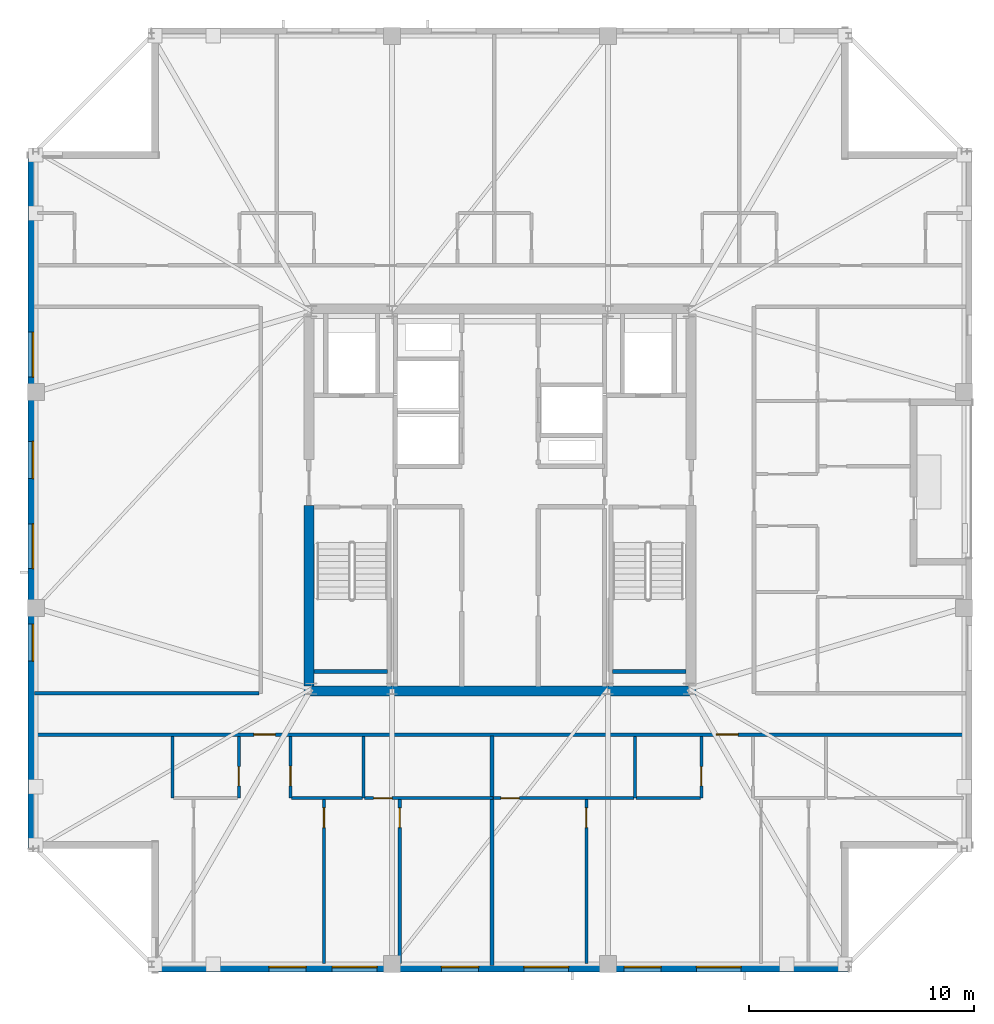
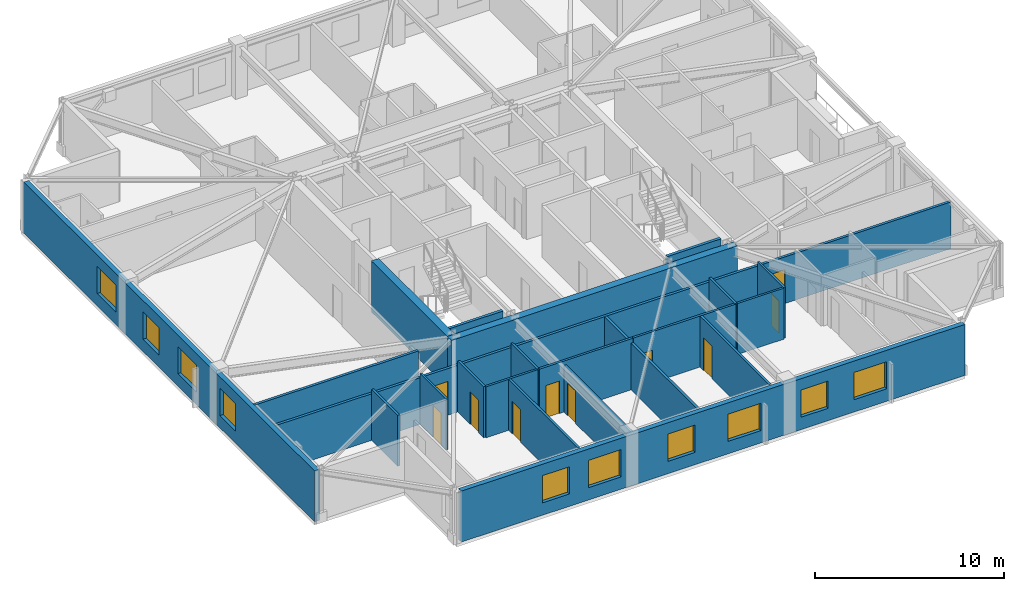
# One storey, part 7 of 14: 22 walls, 10 doors, 10 windows, 20 openings.
"""IFC4 building model written with IfcOpenShell, lengths in metres."""

from ifc_helpers import new_model, si_unit, direction, frame, frame_2d, origin, place, context, subcontext, project, spatial, rectangle, extrude, material, layer, layer_set, type_object, element, fill, save


model = new_model("IFC4")

# Units and contexts
model_context = context("Model", 3, precision=1e-05, world=origin(), true_north=direction((0.0, 1.0)))
body_context = subcontext(model_context, "Body", "Model", "MODEL_VIEW")
ifc_project = project(units=[si_unit("LENGTHUNIT", "METRE"), si_unit("AREAUNIT", "SQUARE_METRE"), si_unit("VOLUMEUNIT", "CUBIC_METRE"), si_unit("PLANEANGLEUNIT", "RADIAN"), si_unit("MASSUNIT", "GRAM", prefix="KILO")], contexts=[model_context])

# Site, building, storey
site_placement = place(None, origin())
site = spatial("IfcSite", under=ifc_project, at=site_placement, CompositionType="ELEMENT")
building_placement = place(site_placement, origin())
building = spatial("IfcBuilding", under=site, at=building_placement, Name="Cairnveth Concourse Tower", CompositionType="ELEMENT")
storey_placement = place(building_placement, frame((0.0, 0.0, 308.5)))
storey = spatial("IfcBuildingStorey", under=building, at=storey_placement, Name="L85", CompositionType="ELEMENT", Elevation=308.5)

# Wall, openings, doors
ifc_material_1 = material(Name="Gypsum Plasterboard Partition", Category="gypsum")
ifc_layer_1 = layer(ifc_material_1, 0.159912109375)
ifc_layer_set_1 = layer_set([ifc_layer_1], Name="Gypsum Plasterboard Partition")
wall_type_1 = type_object("IfcWallType", Name="ACOUSTIC PARTY WALL 180", PredefinedType="PARTITIONING", material=ifc_layer_set_1)
wall_1_placement = place(storey_placement, frame((31.284912109375, 28.56494140625, 0.0), z_axis=(0.0, 0.0, 1.0), x_axis=(1.0, 0.0, 0.0)))
wall_1 = element("IfcWall", 1, at=wall_1_placement, inside=storey, type_object=wall_type_1, Name="Interior Wall IW-L85-033", PredefinedType="PARTITIONING", context=body_context, shape_type="SweptSolid", body=[
    extrude(rectangle(XDim=41.43017578125, YDim=0.159912109375, at=frame_2d((20.715087890625, 0.0))), origin(), (0.0, 0.0, 1.0), 3.009033203125),
])
opening_1_placement = place(wall_1_placement, frame((9.76611328125, 0.0, 0.0)))
opening_1 = element("IfcOpeningElement", 2, at=opening_1_placement, cuts=wall_1, Name="Opening ID10", PredefinedType="OPENING", context=body_context, shape_type="SweptSolid", body=[
    extrude(rectangle(XDim=0.9599609375, YDim=2.179931640625, at=frame_2d((0.47998046875, 1.08984375))), frame((0.0, 0.08984375, 0.0), z_axis=(0.0, -1.0, 0.0), x_axis=(1.0, 0.0, 0.0)), (0.0, 0.0, 1.0), 0.179931640625),
])
opening_2_placement = place(wall_1_placement, frame((30.34619140625, 0.0, 0.0)))
opening_2 = element("IfcOpeningElement", 3, at=opening_2_placement, cuts=wall_1, Name="Opening ID10", PredefinedType="OPENING", context=body_context, shape_type="SweptSolid", body=[
    extrude(rectangle(XDim=0.9599609375, YDim=2.179931640625, at=frame_2d((0.47998046875, 1.08984375))), frame((0.0, 0.08984375, 0.0), z_axis=(0.0, -1.0, 0.0), x_axis=(1.0, 0.0, 0.0)), (0.0, 0.0, 1.0), 0.179931640625),
])
ifc_material_2 = material(Name="Solid Core Hardwood Timber Leaf", Category="wood")
door_type_1 = type_object("IfcDoorType", Name="FLAT ENTRANCE DOOR 960X2150", OperationType="NOTDEFINED", PredefinedType="DOOR", material=ifc_material_2)
door_1_placement = place(opening_1_placement, origin())
door_1 = element("IfcDoor", 4, at=door_1_placement, inside=storey, type_object=door_type_1, Name="Penthouse L85PS1 Entrance Door", OperationType="SINGLE_SWING_LEFT", OverallHeight=2.179931640625, OverallWidth=0.9599609375, PredefinedType="DOOR", context=body_context, shape_type="SweptSolid", body=[
    extrude(rectangle(XDim=0.9599609375, YDim=2.179931640625, at=frame_2d((0.47998046875, 1.08984375))), frame((0.0, 0.02490234375, 0.0), z_axis=(0.0, -1.0, 0.0), x_axis=(1.0, 0.0, 0.0)), (0.0, 0.0, 1.0), 0.050048828125),
])
fill(opening_1, door_1)
door_2_placement = place(opening_2_placement, origin())
door_2 = element("IfcDoor", 5, at=door_2_placement, inside=storey, type_object=door_type_1, Name="Penthouse L85PS2 Entrance Door", OperationType="SINGLE_SWING_LEFT", OverallHeight=2.179931640625, OverallWidth=0.9599609375, PredefinedType="DOOR", context=body_context, shape_type="SweptSolid", body=[
    extrude(rectangle(XDim=0.9599609375, YDim=2.179931640625, at=frame_2d((0.47998046875, 1.08984375))), frame((0.0, 0.02490234375, 0.0), z_axis=(0.0, -1.0, 0.0), x_axis=(1.0, 0.0, 0.0)), (0.0, 0.0, 1.0), 0.050048828125),
])
fill(opening_2, door_2)

# Walls
wall_2_placement = place(storey_placement, frame((31.284912109375, 30.39990234375, 0.0), z_axis=(0.0, 0.0, 1.0), x_axis=(1.0, 0.0, 0.0)))
element("IfcWall", 6, at=wall_2_placement, inside=storey, type_object=wall_type_1, Name="Interior Wall IW-L85-037", PredefinedType="PARTITIONING", context=body_context, shape_type="SweptSolid", body=[
    extrude(rectangle(XDim=10.0, YDim=0.159912109375, at=frame_2d((5.0, 0.0))), origin(), (0.0, 0.0, 1.0), 3.2900390625),
])
wall_3_placement = place(storey_placement, frame((51.642578125, 18.284912109375, 0.0), z_axis=(0.0, 0.0, 1.0), x_axis=(0.0, 1.0, 0.0)))
element("IfcWall", 7, at=wall_3_placement, inside=storey, type_object=wall_type_1, Name="Interior Wall IW-L85-051", PredefinedType="PARTITIONING", context=body_context, shape_type="SweptSolid", body=[
    extrude(rectangle(XDim=10.215087890625, YDim=0.159912109375, at=frame_2d((5.107421875, 0.0))), origin(), (0.0, 0.0, 1.0), 3.009033203125),
])
ifc_material_3 = material(Name="Concrete N65 (65 MPa)", Category="concrete")
ifc_layer_2 = layer(ifc_material_3, 0.449951171875)
ifc_layer_set_2 = layer_set([ifc_layer_2], Name="Concrete N65 (65 MPa)")
wall_type_2 = type_object("IfcWallType", Name="CORE SHEAR WALL 450", PredefinedType="SHEAR", material=ifc_layer_set_2)
wall_4_placement = place(storey_placement, frame((43.27490234375, 30.5, 0.0), z_axis=(0.0, 0.0, 1.0), x_axis=(1.0, 0.0, 0.0)))
element("IfcWall", 8, at=wall_4_placement, inside=storey, type_object=wall_type_2, Name="Core South Shear Wall L85", PredefinedType="SHEAR", context=body_context, shape_type="SweptSolid", body=[
    extrude(rectangle(XDim=17.4501953125, YDim=0.449951171875, at=frame_2d((8.72509765625, 0.0))), origin(), (0.0, 0.0, 1.0), 3.2900390625),
])
wall_5_placement = place(storey_placement, frame((43.5, 30.715087890625, 0.0), z_axis=(0.0, 0.0, 1.0), x_axis=(0.0, 1.0, 0.0)))
element("IfcWall", 9, at=wall_5_placement, inside=storey, type_object=wall_type_2, Name="Core West Shear Wall S L85", PredefinedType="SHEAR", context=body_context, shape_type="SweptSolid", body=[
    extrude(rectangle(XDim=8.034912109375, YDim=0.449951171875, at=frame_2d((4.017578125, 0.0))), origin(), (0.0, 0.0, 1.0), 3.2900390625),
])
ifc_material_4 = material(Name="Concrete N50 (50 MPa)", Category="concrete")
ifc_layer_3 = layer(ifc_material_4, 0.179931640625)
ifc_layer_set_3 = layer_set([ifc_layer_3], Name="Concrete N50 (50 MPa)")
wall_type_3 = type_object("IfcWallType", Name="FIRE SHAFT WALL 180", PredefinedType="SOLIDWALL", material=ifc_layer_set_3)
for number, where, z_axis, x_axis, name in (
    (10, (43.715087890625, 31.360107421875, 0.0), (0.0, 0.0, 1.0), (1.0, 0.0, 0.0), "Stair ST-1 Shaft Wall FAR L85"),
    (11, (57.0048828125, 31.360107421875, 0.0), (0.0, 0.0, 1.0), (1.0, 0.0, 0.0), "Stair ST-2 Shaft Wall FAR L85"),
):
    element("IfcWall", number, at=place(storey_placement, frame(where, z_axis=z_axis, x_axis=x_axis)), inside=storey, type_object=wall_type_3, Name=name, PredefinedType="SOLIDWALL", context=body_context, shape_type="SweptSolid", body=[
        extrude(rectangle(XDim=3.280029296875, YDim=0.179931640625, at=frame_2d((1.64013671875, 0.0))), origin(), (0.0, 0.0, 1.0), 3.2900390625),
    ])

# Wall, opening, door
ifc_layer_4 = layer(ifc_material_1, 0.139892578125)
ifc_layer_set_4 = layer_set([ifc_layer_4], Name="Gypsum Plasterboard Partition")
wall_type_4 = type_object("IfcWallType", Name="GYPSUM STUD PARTITION 140", PredefinedType="PARTITIONING", material=ifc_layer_set_4)
wall_6_placement = place(storey_placement, frame((47.54248046875, 18.3798828125, 0.0), z_axis=(0.0, 0.0, 1.0), x_axis=(0.0, 1.0, 0.0)))
wall_6 = element("IfcWall", 12, at=wall_6_placement, inside=storey, type_object=wall_type_4, Name="Interior Wall IW-L85-048", PredefinedType="PARTITIONING", context=body_context, shape_type="SweptSolid", body=[
    extrude(rectangle(XDim=7.39501953125, YDim=0.139892578125, at=frame_2d((3.697509765625, 0.0))), origin(), (0.0, 0.0, 1.0), 3.009033203125),
])
opening_3_placement = place(wall_6_placement, frame((6.044921875, 0.0, 0.0)))
opening_3 = element("IfcOpeningElement", 13, at=opening_3_placement, cuts=wall_6, Name="Opening ID18", PredefinedType="OPENING", context=body_context, shape_type="SweptSolid", body=[
    extrude(rectangle(XDim=0.8798828125, YDim=2.10009765625, at=frame_2d((0.43994140625, 1.050048828125))), frame((0.0, 0.079833984375, 0.0), z_axis=(0.0, -1.0, 0.0), x_axis=(1.0, 0.0, 0.0)), (0.0, 0.0, 1.0), 0.159912109375),
])
door_type_2 = type_object("IfcDoorType", Name="INTERIOR SINGLE DOOR 880X2100", OperationType="NOTDEFINED", PredefinedType="DOOR", material=ifc_material_2)
door_3_placement = place(opening_3_placement, origin())
door_3 = element("IfcDoor", 14, at=door_3_placement, inside=storey, type_object=door_type_2, Name="L85PS1 Bedroom 2 Door", OperationType="SINGLE_SWING_LEFT", OverallHeight=2.10009765625, OverallWidth=0.8798828125, PredefinedType="DOOR", context=body_context, shape_type="SweptSolid", body=[
    extrude(rectangle(XDim=0.8798828125, YDim=2.10009765625, at=frame_2d((0.43994140625, 1.050048828125))), frame((0.0, 0.02490234375, 0.0), z_axis=(0.0, -1.0, 0.0), x_axis=(1.0, 0.0, 0.0)), (0.0, 0.0, 1.0), 0.050048828125),
])
fill(opening_3, door_3)

wall_7_placement = place(storey_placement, frame((45.981201171875, 25.735107421875, 0.0), z_axis=(0.0, 0.0, 1.0), x_axis=(1.0, 0.0, 0.0)))
wall_7 = element("IfcWall", 15, at=wall_7_placement, inside=storey, type_object=wall_type_4, Name="Interior Wall IW-L85-049", PredefinedType="PARTITIONING", context=body_context, shape_type="SweptSolid", body=[
    extrude(rectangle(XDim=5.711181640625, YDim=0.139892578125, at=frame_2d((2.85546875, 0.0))), origin(), (0.0, 0.0, 1.0), 3.2900390625),
])
opening_4_placement = place(wall_7_placement, frame((0.39990234375, 0.0, 0.0)))
opening_4 = element("IfcOpeningElement", 16, at=opening_4_placement, cuts=wall_7, Name="Opening ID22", PredefinedType="OPENING", context=body_context, shape_type="SweptSolid", body=[
    extrude(rectangle(XDim=0.820068359375, YDim=2.10009765625, at=frame_2d((0.41015625, 1.050048828125))), frame((0.0, 0.079833984375, 0.0), z_axis=(0.0, -1.0, 0.0), x_axis=(1.0, 0.0, 0.0)), (0.0, 0.0, 1.0), 0.159912109375),
])
door_type_3 = type_object("IfcDoorType", Name="INTERIOR WC DOOR 820X2100", OperationType="NOTDEFINED", PredefinedType="DOOR", material=ifc_material_2)
door_4_placement = place(opening_4_placement, origin())
door_4 = element("IfcDoor", 17, at=door_4_placement, inside=storey, type_object=door_type_3, Name="L85PS1 Utility Door", OperationType="SINGLE_SWING_RIGHT", OverallHeight=2.10009765625, OverallWidth=0.820068359375, PredefinedType="DOOR", context=body_context, shape_type="SweptSolid", body=[
    extrude(rectangle(XDim=0.820068359375, YDim=2.10009765625, at=frame_2d((0.41015625, 1.050048828125))), frame((0.0, 0.02490234375, 0.0), z_axis=(0.0, -1.0, 0.0), x_axis=(1.0, 0.0, 0.0)), (0.0, 0.0, 1.0), 0.050048828125),
])
fill(opening_4, door_4)

wall_8_placement = place(storey_placement, frame((44.169921875, 18.3798828125, 0.0), z_axis=(0.0, 0.0, 1.0), x_axis=(0.0, 1.0, 0.0)))
wall_8 = element("IfcWall", 18, at=wall_8_placement, inside=storey, type_object=wall_type_4, Name="Interior Wall IW-L85-050", PredefinedType="PARTITIONING", context=body_context, shape_type="SweptSolid", body=[
    extrude(rectangle(XDim=7.30517578125, YDim=0.139892578125, at=frame_2d((3.652587890625, 0.0))), origin(), (0.0, 0.0, 1.0), 3.2900390625),
])
opening_5_placement = place(wall_8_placement, frame((6.044921875, 0.0, 0.0)))
opening_5 = element("IfcOpeningElement", 19, at=opening_5_placement, cuts=wall_8, Name="Opening ID18", PredefinedType="OPENING", context=body_context, shape_type="SweptSolid", body=[
    extrude(rectangle(XDim=0.8798828125, YDim=2.10009765625, at=frame_2d((0.43994140625, 1.050048828125))), frame((0.0, 0.079833984375, 0.0), z_axis=(0.0, -1.0, 0.0), x_axis=(1.0, 0.0, 0.0)), (0.0, 0.0, 1.0), 0.159912109375),
])
door_5_placement = place(opening_5_placement, origin())
door_5 = element("IfcDoor", 20, at=door_5_placement, inside=storey, type_object=door_type_2, Name="L85PS1 Media Lounge Door", OperationType="SINGLE_SWING_RIGHT", OverallHeight=2.10009765625, OverallWidth=0.8798828125, PredefinedType="DOOR", context=body_context, shape_type="SweptSolid", body=[
    extrude(rectangle(XDim=0.8798828125, YDim=2.10009765625, at=frame_2d((0.43994140625, 1.050048828125))), frame((0.0, 0.02490234375, 0.0), z_axis=(0.0, -1.0, 0.0), x_axis=(1.0, 0.0, 0.0)), (0.0, 0.0, 1.0), 0.050048828125),
])
fill(opening_5, door_5)

wall_9_placement = place(storey_placement, frame((55.842529296875, 18.3798828125, 0.0), z_axis=(0.0, 0.0, 1.0), x_axis=(0.0, 1.0, 0.0)))
wall_9 = element("IfcWall", 21, at=wall_9_placement, inside=storey, type_object=wall_type_4, Name="Interior Wall IW-L85-058", PredefinedType="PARTITIONING", context=body_context, shape_type="SweptSolid", body=[
    extrude(rectangle(XDim=7.39501953125, YDim=0.139892578125, at=frame_2d((3.697509765625, 0.0))), origin(), (0.0, 0.0, 1.0), 3.2900390625),
])
opening_6_placement = place(wall_9_placement, frame((6.044921875, 0.0, 0.0)))
opening_6 = element("IfcOpeningElement", 22, at=opening_6_placement, cuts=wall_9, Name="Opening ID18", PredefinedType="OPENING", context=body_context, shape_type="SweptSolid", body=[
    extrude(rectangle(XDim=0.8798828125, YDim=2.10009765625, at=frame_2d((0.43994140625, 1.050048828125))), frame((0.0, 0.079833984375, 0.0), z_axis=(0.0, -1.0, 0.0), x_axis=(1.0, 0.0, 0.0)), (0.0, 0.0, 1.0), 0.159912109375),
])
door_6_placement = place(opening_6_placement, origin())
door_6 = element("IfcDoor", 23, at=door_6_placement, inside=storey, type_object=door_type_2, Name="L85PS2 Master Bedroom Door", OperationType="SINGLE_SWING_LEFT", OverallHeight=2.10009765625, OverallWidth=0.8798828125, PredefinedType="DOOR", context=body_context, shape_type="SweptSolid", body=[
    extrude(rectangle(XDim=0.8798828125, YDim=2.10009765625, at=frame_2d((0.43994140625, 1.050048828125))), frame((0.0, 0.02490234375, 0.0), z_axis=(0.0, -1.0, 0.0), x_axis=(1.0, 0.0, 0.0)), (0.0, 0.0, 1.0), 0.050048828125),
])
fill(opening_6, door_6)

wall_10_placement = place(storey_placement, frame((51.70751953125, 25.735107421875, 0.0), z_axis=(0.0, 0.0, 1.0), x_axis=(1.0, 0.0, 0.0)))
wall_10 = element("IfcWall", 24, at=wall_10_placement, inside=storey, type_object=wall_type_4, Name="Interior Wall IW-L85-059", PredefinedType="PARTITIONING", context=body_context, shape_type="SweptSolid", body=[
    extrude(rectangle(XDim=6.253662109375, YDim=0.139892578125, at=frame_2d((3.126953125, 0.0))), origin(), (0.0, 0.0, 1.0), 3.2900390625),
])
opening_7_placement = place(wall_10_placement, frame((0.3349609375, 0.0, 0.0)))
opening_7 = element("IfcOpeningElement", 25, at=opening_7_placement, cuts=wall_10, Name="Opening ID22", PredefinedType="OPENING", context=body_context, shape_type="SweptSolid", body=[
    extrude(rectangle(XDim=0.820068359375, YDim=2.10009765625, at=frame_2d((0.41015625, 1.050048828125))), frame((0.0, 0.079833984375, 0.0), z_axis=(0.0, -1.0, 0.0), x_axis=(1.0, 0.0, 0.0)), (0.0, 0.0, 1.0), 0.159912109375),
])
door_7_placement = place(opening_7_placement, origin())
door_7 = element("IfcDoor", 26, at=door_7_placement, inside=storey, type_object=door_type_3, Name="L85PS2 Dressing Door", OperationType="SINGLE_SWING_RIGHT", OverallHeight=2.10009765625, OverallWidth=0.820068359375, PredefinedType="DOOR", context=body_context, shape_type="SweptSolid", body=[
    extrude(rectangle(XDim=0.820068359375, YDim=2.10009765625, at=frame_2d((0.41015625, 1.050048828125))), frame((0.0, 0.02490234375, 0.0), z_axis=(0.0, -1.0, 0.0), x_axis=(1.0, 0.0, 0.0)), (0.0, 0.0, 1.0), 0.050048828125),
])
fill(opening_7, door_7)

# Wall
ifc_layer_5 = layer(ifc_material_1, 0.1298828125)
ifc_layer_set_5 = layer_set([ifc_layer_5], Name="Gypsum Plasterboard Partition")
wall_type_5 = type_object("IfcWallType", Name="WET AREA PARTITION 140", PredefinedType="PLUMBINGWALL", material=ifc_layer_set_5)
wall_11_placement = place(storey_placement, frame((37.431396484375, 25.735107421875, 0.0), z_axis=(0.0, 0.0, 1.0), x_axis=(0.0, 1.0, 0.0)))
element("IfcWall", 27, at=wall_11_placement, inside=storey, type_object=wall_type_5, Name="Interior Wall IW-L85-041", PredefinedType="PLUMBINGWALL", context=body_context, shape_type="SweptSolid", body=[
    extrude(rectangle(XDim=2.75, YDim=0.1298828125, at=frame_2d((1.375, 0.0))), origin(), (0.0, 0.0, 1.0), 3.2900390625),
])

# Wall, opening, door
wall_12_placement = place(storey_placement, frame((40.38134765625, 25.735107421875, 0.0), z_axis=(0.0, 0.0, 1.0), x_axis=(0.0, 1.0, 0.0)))
wall_12 = element("IfcWall", 28, at=wall_12_placement, inside=storey, type_object=wall_type_5, Name="Interior Wall IW-L85-042", PredefinedType="PLUMBINGWALL", context=body_context, shape_type="SweptSolid", body=[
    extrude(rectangle(XDim=2.75, YDim=0.1298828125, at=frame_2d((1.375, 0.0))), origin(), (0.0, 0.0, 1.0), 3.2900390625),
])
opening_8_placement = place(wall_12_placement, frame((0.550048828125, 0.0, 0.0)))
opening_8 = element("IfcOpeningElement", 29, at=opening_8_placement, cuts=wall_12, Name="Opening ID21", PredefinedType="OPENING", context=body_context, shape_type="SweptSolid", body=[
    extrude(rectangle(XDim=0.85009765625, YDim=2.080078125, at=frame_2d((0.425048828125, 1.0400390625))), frame((0.0, 0.074951171875, 0.0), z_axis=(0.0, -1.0, 0.0), x_axis=(1.0, 0.0, 0.0)), (0.0, 0.0, 1.0), 0.14990234375),
])
door_type_4 = type_object("IfcDoorType", Name="INTERIOR WC DOOR 850X2100", OperationType="NOTDEFINED", PredefinedType="DOOR", material=ifc_material_2)
door_8_placement = place(opening_8_placement, origin())
door_8 = element("IfcDoor", 30, at=door_8_placement, inside=storey, type_object=door_type_4, Name="L85PS1 Bathroom Door", OperationType="SINGLE_SWING_LEFT", OverallHeight=2.080078125, OverallWidth=0.85009765625, PredefinedType="DOOR", context=body_context, shape_type="SweptSolid", body=[
    extrude(rectangle(XDim=0.85009765625, YDim=2.080078125, at=frame_2d((0.425048828125, 1.0400390625))), frame((0.0, 0.02490234375, 0.0), z_axis=(0.0, -1.0, 0.0), x_axis=(1.0, 0.0, 0.0)), (0.0, 0.0, 1.0), 0.050048828125),
])
fill(opening_8, door_8)

# Wall
wall_13_placement = place(storey_placement, frame((45.93115234375, 25.735107421875, 0.0), z_axis=(0.0, 0.0, 1.0), x_axis=(0.0, 1.0, 0.0)))
element("IfcWall", 31, at=wall_13_placement, inside=storey, type_object=wall_type_5, Name="Interior Wall IW-L85-044", PredefinedType="PLUMBINGWALL", context=body_context, shape_type="SweptSolid", body=[
    extrude(rectangle(XDim=2.75, YDim=0.1298828125, at=frame_2d((1.375, 0.0))), origin(), (0.0, 0.0, 1.0), 3.2900390625),
])

# Wall, opening, door
wall_14_placement = place(storey_placement, frame((42.68115234375, 25.735107421875, 0.0), z_axis=(0.0, 0.0, 1.0), x_axis=(0.0, 1.0, 0.0)))
wall_14 = element("IfcWall", 32, at=wall_14_placement, inside=storey, type_object=wall_type_5, Name="Interior Wall IW-L85-045", PredefinedType="PLUMBINGWALL", context=body_context, shape_type="SweptSolid", body=[
    extrude(rectangle(XDim=2.75, YDim=0.1298828125, at=frame_2d((1.375, 0.0))), origin(), (0.0, 0.0, 1.0), 3.2900390625),
])
opening_9_placement = place(wall_14_placement, frame((0.550048828125, 0.0, 0.0)))
opening_9 = element("IfcOpeningElement", 33, at=opening_9_placement, cuts=wall_14, Name="Opening ID18", PredefinedType="OPENING", context=body_context, shape_type="SweptSolid", body=[
    extrude(rectangle(XDim=0.8798828125, YDim=2.10009765625, at=frame_2d((0.43994140625, 1.050048828125))), frame((0.0, 0.074951171875, 0.0), z_axis=(0.0, -1.0, 0.0), x_axis=(1.0, 0.0, 0.0)), (0.0, 0.0, 1.0), 0.14990234375),
])
door_9_placement = place(opening_9_placement, origin())
door_9 = element("IfcDoor", 34, at=door_9_placement, inside=storey, type_object=door_type_2, Name="L85PS1 Kitchen Door", OperationType="SINGLE_SWING_RIGHT", OverallHeight=2.10009765625, OverallWidth=0.8798828125, PredefinedType="DOOR", context=body_context, shape_type="SweptSolid", body=[
    extrude(rectangle(XDim=0.8798828125, YDim=2.10009765625, at=frame_2d((0.43994140625, 1.050048828125))), frame((0.0, 0.02490234375, 0.0), z_axis=(0.0, -1.0, 0.0), x_axis=(1.0, 0.0, 0.0)), (0.0, 0.0, 1.0), 0.050048828125),
])
fill(opening_9, door_9)

# Walls
wall_15_placement = place(storey_placement, frame((42.731201171875, 25.735107421875, 0.0), z_axis=(0.0, 0.0, 1.0), x_axis=(1.0, 0.0, 0.0)))
element("IfcWall", 35, at=wall_15_placement, inside=storey, type_object=wall_type_5, Name="Interior Wall IW-L85-046", PredefinedType="PLUMBINGWALL", context=body_context, shape_type="SweptSolid", body=[
    extrude(rectangle(XDim=3.14990234375, YDim=0.1298828125, at=frame_2d((1.574951171875, 0.0))), origin(), (0.0, 0.0, 1.0), 3.2900390625),
])
wall_16_placement = place(storey_placement, frame((58.01123046875, 25.735107421875, 0.0), z_axis=(0.0, 0.0, 1.0), x_axis=(0.0, 1.0, 0.0)))
element("IfcWall", 36, at=wall_16_placement, inside=storey, type_object=wall_type_5, Name="Interior Wall IW-L85-052", PredefinedType="PLUMBINGWALL", context=body_context, shape_type="SweptSolid", body=[
    extrude(rectangle(XDim=2.75, YDim=0.1298828125, at=frame_2d((1.375, 0.0))), origin(), (0.0, 0.0, 1.0), 3.2900390625),
])

# Wall, opening, door
wall_17_placement = place(storey_placement, frame((60.961181640625, 25.735107421875, 0.0), z_axis=(0.0, 0.0, 1.0), x_axis=(0.0, 1.0, 0.0)))
wall_17 = element("IfcWall", 37, at=wall_17_placement, inside=storey, type_object=wall_type_5, Name="Interior Wall IW-L85-053", PredefinedType="PLUMBINGWALL", context=body_context, shape_type="SweptSolid", body=[
    extrude(rectangle(XDim=2.75, YDim=0.1298828125, at=frame_2d((1.375, 0.0))), origin(), (0.0, 0.0, 1.0), 3.2900390625),
])
opening_10_placement = place(wall_17_placement, frame((0.550048828125, 0.0, 0.0)))
opening_10 = element("IfcOpeningElement", 38, at=opening_10_placement, cuts=wall_17, Name="Opening ID21", PredefinedType="OPENING", context=body_context, shape_type="SweptSolid", body=[
    extrude(rectangle(XDim=0.85009765625, YDim=2.080078125, at=frame_2d((0.425048828125, 1.0400390625))), frame((0.0, 0.074951171875, 0.0), z_axis=(0.0, -1.0, 0.0), x_axis=(1.0, 0.0, 0.0)), (0.0, 0.0, 1.0), 0.14990234375),
])
door_10_placement = place(opening_10_placement, origin())
door_10 = element("IfcDoor", 39, at=door_10_placement, inside=storey, type_object=door_type_4, Name="L85PS2 Bathroom Door", OperationType="SINGLE_SWING_RIGHT", OverallHeight=2.080078125, OverallWidth=0.85009765625, PredefinedType="DOOR", context=body_context, shape_type="SweptSolid", body=[
    extrude(rectangle(XDim=0.85009765625, YDim=2.080078125, at=frame_2d((0.425048828125, 1.0400390625))), frame((0.0, 0.02490234375, 0.0), z_axis=(0.0, -1.0, 0.0), x_axis=(1.0, 0.0, 0.0)), (0.0, 0.0, 1.0), 0.050048828125),
])
fill(opening_10, door_10)

# Wall
wall_18_placement = place(storey_placement, frame((58.061279296875, 25.735107421875, 0.0), z_axis=(0.0, 0.0, 1.0), x_axis=(1.0, 0.0, 0.0)))
element("IfcWall", 40, at=wall_18_placement, inside=storey, type_object=wall_type_5, Name="Interior Wall IW-L85-054", PredefinedType="PLUMBINGWALL", context=body_context, shape_type="SweptSolid", body=[
    extrude(rectangle(XDim=2.849853515625, YDim=0.1298828125, at=frame_2d((1.4248046875, 0.0))), origin(), (0.0, 0.0, 1.0), 3.2900390625),
])

# Wall, openings, windows
ifc_material_5 = material(Name="Hawthorn Red-Ochre Fired Clay Brick Masonry", Category="masonry")
ifc_layer_6 = layer(ifc_material_5, 0.300048828125)
ifc_layer_set_6 = layer_set([ifc_layer_6], Name="Hawthorn Red-Ochre Fired Clay Brick Masonry")
wall_type_6 = type_object("IfcWallType", Name="ZONE 4 BRICK PIER SPANDREL WALL 300", PredefinedType="SOLIDWALL", material=ifc_layer_set_6)
wall_19_placement = place(storey_placement, frame((67.5, 18.14990234375, 0.0), z_axis=(0.0, 0.0, 1.0), x_axis=(-1.0, 0.0, 0.0)))
wall_19 = element("IfcWall", 41, at=wall_19_placement, inside=storey, type_object=wall_type_6, Name="Exterior Wall EW-L85-S03", PredefinedType="SOLIDWALL", context=body_context, shape_type="SweptSolid", body=[
    extrude(rectangle(XDim=30.721923828125, YDim=0.300048828125, at=frame_2d((15.36083984375, 0.0))), origin(), (0.0, 0.0, 1.0), 3.2900390625),
])
opening_11_placement = place(wall_19_placement, frame((4.7685546875, 0.0, 0.800048828125)))
opening_11 = element("IfcOpeningElement", 42, at=opening_11_placement, cuts=wall_19, Name="Opening W09", PredefinedType="OPENING", context=body_context, shape_type="SweptSolid", body=[
    extrude(rectangle(XDim=2.0, YDim=1.758056640625, at=frame_2d((1.0, 0.87890625))), frame((0.0, 0.159912109375, 0.0), z_axis=(0.0, -1.0, 0.0), x_axis=(1.0, 0.0, 0.0)), (0.0, 0.0, 1.0), 0.320068359375),
])
opening_12_placement = place(wall_19_placement, frame((8.33056640625, 0.0, 0.800048828125)))
opening_12 = element("IfcOpeningElement", 43, at=opening_12_placement, cuts=wall_19, Name="Opening W04", PredefinedType="OPENING", context=body_context, shape_type="SweptSolid", body=[
    extrude(rectangle(XDim=1.64990234375, YDim=1.758056640625, at=frame_2d((0.824951171875, 0.87890625))), frame((0.0, 0.159912109375, 0.0), z_axis=(0.0, -1.0, 0.0), x_axis=(1.0, 0.0, 0.0)), (0.0, 0.0, 1.0), 0.320068359375),
])
opening_13_placement = place(wall_19_placement, frame((12.4423828125, 0.0, 0.800048828125)))
opening_13 = element("IfcOpeningElement", 44, at=opening_13_placement, cuts=wall_19, Name="Opening W09", PredefinedType="OPENING", context=body_context, shape_type="SweptSolid", body=[
    extrude(rectangle(XDim=2.0, YDim=1.758056640625, at=frame_2d((1.0, 0.87890625))), frame((0.0, 0.159912109375, 0.0), z_axis=(0.0, -1.0, 0.0), x_axis=(1.0, 0.0, 0.0)), (0.0, 0.0, 1.0), 0.320068359375),
])
opening_14_placement = place(wall_19_placement, frame((16.45458984375, 0.0, 0.800048828125)))
opening_14 = element("IfcOpeningElement", 45, at=opening_14_placement, cuts=wall_19, Name="Opening W04", PredefinedType="OPENING", context=body_context, shape_type="SweptSolid", body=[
    extrude(rectangle(XDim=1.64990234375, YDim=1.758056640625, at=frame_2d((0.824951171875, 0.87890625))), frame((0.0, 0.159912109375, 0.0), z_axis=(0.0, -1.0, 0.0), x_axis=(1.0, 0.0, 0.0)), (0.0, 0.0, 1.0), 0.320068359375),
])
opening_15_placement = place(wall_19_placement, frame((20.966552734375, 0.0, 0.800048828125)))
opening_15 = element("IfcOpeningElement", 46, at=opening_15_placement, cuts=wall_19, Name="Opening W09", PredefinedType="OPENING", context=body_context, shape_type="SweptSolid", body=[
    extrude(rectangle(XDim=2.0, YDim=1.758056640625, at=frame_2d((1.0, 0.87890625))), frame((0.0, 0.159912109375, 0.0), z_axis=(0.0, -1.0, 0.0), x_axis=(1.0, 0.0, 0.0)), (0.0, 0.0, 1.0), 0.320068359375),
])
opening_16_placement = place(wall_19_placement, frame((24.12841796875, 0.0, 0.800048828125)))
opening_16 = element("IfcOpeningElement", 47, at=opening_16_placement, cuts=wall_19, Name="Opening W04", PredefinedType="OPENING", context=body_context, shape_type="SweptSolid", body=[
    extrude(rectangle(XDim=1.64990234375, YDim=1.758056640625, at=frame_2d((0.824951171875, 0.87890625))), frame((0.0, 0.159912109375, 0.0), z_axis=(0.0, -1.0, 0.0), x_axis=(1.0, 0.0, 0.0)), (0.0, 0.0, 1.0), 0.320068359375),
])
ifc_material_6 = material(Name="Double Glazed Low-E Clear Glass", Category="glass")
window_type_1 = type_object("IfcWindowType", Name="DEEP-SET GOTHIC LANCET WINDOW 1650X1850", PartitioningType="DOUBLE_PANEL_VERTICAL", PredefinedType="WINDOW", material=ifc_material_6)
window_1_placement = place(opening_12_placement, origin())
window_1 = element("IfcWindow", 48, at=window_1_placement, inside=storey, type_object=window_type_1, Name="Gothic Lancet Window L85-3-2", OverallHeight=1.758056640625, OverallWidth=1.64990234375, PartitioningType="SINGLE_PANEL", PredefinedType="WINDOW", context=body_context, shape_type="SweptSolid", body=[
    extrude(rectangle(XDim=1.64990234375, YDim=1.758056640625, at=frame_2d((0.824951171875, 0.87890625))), frame((0.0, -0.050048828125, 0.0), z_axis=(0.0, -1.0, 0.0), x_axis=(1.0, 0.0, 0.0)), (0.0, 0.0, 1.0), 0.06005859375),
])
fill(opening_12, window_1)
window_2_placement = place(opening_14_placement, origin())
window_2 = element("IfcWindow", 49, at=window_2_placement, inside=storey, type_object=window_type_1, Name="Gothic Lancet Window L85-3-4", OverallHeight=1.758056640625, OverallWidth=1.64990234375, PartitioningType="SINGLE_PANEL", PredefinedType="WINDOW", context=body_context, shape_type="SweptSolid", body=[
    extrude(rectangle(XDim=1.64990234375, YDim=1.758056640625, at=frame_2d((0.824951171875, 0.87890625))), frame((0.0, -0.050048828125, 0.0), z_axis=(0.0, -1.0, 0.0), x_axis=(1.0, 0.0, 0.0)), (0.0, 0.0, 1.0), 0.06005859375),
])
fill(opening_14, window_2)
window_3_placement = place(opening_16_placement, origin())
window_3 = element("IfcWindow", 50, at=window_3_placement, inside=storey, type_object=window_type_1, Name="Gothic Lancet Window L85-3-6", OverallHeight=1.758056640625, OverallWidth=1.64990234375, PartitioningType="SINGLE_PANEL", PredefinedType="WINDOW", context=body_context, shape_type="SweptSolid", body=[
    extrude(rectangle(XDim=1.64990234375, YDim=1.758056640625, at=frame_2d((0.824951171875, 0.87890625))), frame((0.0, -0.050048828125, 0.0), z_axis=(0.0, -1.0, 0.0), x_axis=(1.0, 0.0, 0.0)), (0.0, 0.0, 1.0), 0.06005859375),
])
fill(opening_16, window_3)
window_type_2 = type_object("IfcWindowType", Name="DEEP-SET PENTHOUSE LANCET WINDOW 2000X1850", PartitioningType="DOUBLE_PANEL_VERTICAL", PredefinedType="WINDOW", material=ifc_material_6)
window_4_placement = place(opening_11_placement, origin())
window_4 = element("IfcWindow", 51, at=window_4_placement, inside=storey, type_object=window_type_2, Name="Gothic Lancet Window L85-3-1", OverallHeight=1.758056640625, OverallWidth=2.0, PartitioningType="SINGLE_PANEL", PredefinedType="WINDOW", context=body_context, shape_type="SweptSolid", body=[
    extrude(rectangle(XDim=2.0, YDim=1.758056640625, at=frame_2d((1.0, 0.87890625))), frame((0.0, -0.050048828125, 0.0), z_axis=(0.0, -1.0, 0.0), x_axis=(1.0, 0.0, 0.0)), (0.0, 0.0, 1.0), 0.06005859375),
])
fill(opening_11, window_4)
window_5_placement = place(opening_13_placement, origin())
window_5 = element("IfcWindow", 52, at=window_5_placement, inside=storey, type_object=window_type_2, Name="Gothic Lancet Window L85-3-3", OverallHeight=1.758056640625, OverallWidth=2.0, PartitioningType="SINGLE_PANEL", PredefinedType="WINDOW", context=body_context, shape_type="SweptSolid", body=[
    extrude(rectangle(XDim=2.0, YDim=1.758056640625, at=frame_2d((1.0, 0.87890625))), frame((0.0, -0.050048828125, 0.0), z_axis=(0.0, -1.0, 0.0), x_axis=(1.0, 0.0, 0.0)), (0.0, 0.0, 1.0), 0.06005859375),
])
fill(opening_13, window_5)
window_6_placement = place(opening_15_placement, origin())
window_6 = element("IfcWindow", 53, at=window_6_placement, inside=storey, type_object=window_type_2, Name="Gothic Lancet Window L85-3-5", OverallHeight=1.758056640625, OverallWidth=2.0, PartitioningType="SINGLE_PANEL", PredefinedType="WINDOW", context=body_context, shape_type="SweptSolid", body=[
    extrude(rectangle(XDim=2.0, YDim=1.758056640625, at=frame_2d((1.0, 0.87890625))), frame((0.0, -0.050048828125, 0.0), z_axis=(0.0, -1.0, 0.0), x_axis=(1.0, 0.0, 0.0)), (0.0, 0.0, 1.0), 0.06005859375),
])
fill(opening_15, window_6)

wall_20_placement = place(storey_placement, frame((31.14990234375, 23.5, 0.0), z_axis=(0.0, 0.0, 1.0), x_axis=(0.0, 1.0, 0.0)))
wall_20 = element("IfcWall", 54, at=wall_20_placement, inside=storey, type_object=wall_type_6, Name="Exterior Wall EW-L85-S06", PredefinedType="SOLIDWALL", context=body_context, shape_type="SweptSolid", body=[
    extrude(rectangle(XDim=30.721923828125, YDim=0.300048828125, at=frame_2d((15.36083984375, 0.0))), origin(), (0.0, 0.0, 1.0), 3.2900390625),
])
opening_17_placement = place(wall_20_placement, frame((8.33056640625, 0.0, 0.800048828125)))
opening_17 = element("IfcOpeningElement", 55, at=opening_17_placement, cuts=wall_20, Name="Opening W04", PredefinedType="OPENING", context=body_context, shape_type="SweptSolid", body=[
    extrude(rectangle(XDim=1.64990234375, YDim=1.758056640625, at=frame_2d((0.824951171875, 0.87890625))), frame((0.0, 0.159912109375, 0.0), z_axis=(0.0, -1.0, 0.0), x_axis=(1.0, 0.0, 0.0)), (0.0, 0.0, 1.0), 0.320068359375),
])
opening_18_placement = place(wall_20_placement, frame((12.4423828125, 0.0, 0.800048828125)))
opening_18 = element("IfcOpeningElement", 56, at=opening_18_placement, cuts=wall_20, Name="Opening W09", PredefinedType="OPENING", context=body_context, shape_type="SweptSolid", body=[
    extrude(rectangle(XDim=2.0, YDim=1.758056640625, at=frame_2d((1.0, 0.87890625))), frame((0.0, 0.159912109375, 0.0), z_axis=(0.0, -1.0, 0.0), x_axis=(1.0, 0.0, 0.0)), (0.0, 0.0, 1.0), 0.320068359375),
])
opening_19_placement = place(wall_20_placement, frame((16.45458984375, 0.0, 0.800048828125)))
opening_19 = element("IfcOpeningElement", 57, at=opening_19_placement, cuts=wall_20, Name="Opening W04", PredefinedType="OPENING", context=body_context, shape_type="SweptSolid", body=[
    extrude(rectangle(XDim=1.64990234375, YDim=1.758056640625, at=frame_2d((0.824951171875, 0.87890625))), frame((0.0, 0.159912109375, 0.0), z_axis=(0.0, -1.0, 0.0), x_axis=(1.0, 0.0, 0.0)), (0.0, 0.0, 1.0), 0.320068359375),
])
opening_20_placement = place(wall_20_placement, frame((20.966552734375, 0.0, 0.800048828125)))
opening_20 = element("IfcOpeningElement", 58, at=opening_20_placement, cuts=wall_20, Name="Opening W09", PredefinedType="OPENING", context=body_context, shape_type="SweptSolid", body=[
    extrude(rectangle(XDim=2.0, YDim=1.758056640625, at=frame_2d((1.0, 0.87890625))), frame((0.0, 0.159912109375, 0.0), z_axis=(0.0, -1.0, 0.0), x_axis=(1.0, 0.0, 0.0)), (0.0, 0.0, 1.0), 0.320068359375),
])
window_7_placement = place(opening_17_placement, origin())
window_7 = element("IfcWindow", 59, at=window_7_placement, inside=storey, type_object=window_type_1, Name="Gothic Lancet Window L85-6-2", OverallHeight=1.758056640625, OverallWidth=1.64990234375, PartitioningType="SINGLE_PANEL", PredefinedType="WINDOW", context=body_context, shape_type="SweptSolid", body=[
    extrude(rectangle(XDim=1.64990234375, YDim=1.758056640625, at=frame_2d((0.824951171875, 0.87890625))), frame((0.0, -0.050048828125, 0.0), z_axis=(0.0, -1.0, 0.0), x_axis=(1.0, 0.0, 0.0)), (0.0, 0.0, 1.0), 0.06005859375),
])
fill(opening_17, window_7)
window_8_placement = place(opening_19_placement, origin())
window_8 = element("IfcWindow", 60, at=window_8_placement, inside=storey, type_object=window_type_1, Name="Gothic Lancet Window L85-6-4", OverallHeight=1.758056640625, OverallWidth=1.64990234375, PartitioningType="SINGLE_PANEL", PredefinedType="WINDOW", context=body_context, shape_type="SweptSolid", body=[
    extrude(rectangle(XDim=1.64990234375, YDim=1.758056640625, at=frame_2d((0.824951171875, 0.87890625))), frame((0.0, -0.050048828125, 0.0), z_axis=(0.0, -1.0, 0.0), x_axis=(1.0, 0.0, 0.0)), (0.0, 0.0, 1.0), 0.06005859375),
])
fill(opening_19, window_8)
window_9_placement = place(opening_18_placement, origin())
window_9 = element("IfcWindow", 61, at=window_9_placement, inside=storey, type_object=window_type_2, Name="Gothic Lancet Window L85-6-3", OverallHeight=1.758056640625, OverallWidth=2.0, PartitioningType="SINGLE_PANEL", PredefinedType="WINDOW", context=body_context, shape_type="SweptSolid", body=[
    extrude(rectangle(XDim=2.0, YDim=1.758056640625, at=frame_2d((1.0, 0.87890625))), frame((0.0, -0.050048828125, 0.0), z_axis=(0.0, -1.0, 0.0), x_axis=(1.0, 0.0, 0.0)), (0.0, 0.0, 1.0), 0.06005859375),
])
fill(opening_18, window_9)
window_10_placement = place(opening_20_placement, origin())
window_10 = element("IfcWindow", 62, at=window_10_placement, inside=storey, type_object=window_type_2, Name="Gothic Lancet Window L85-6-5", OverallHeight=1.758056640625, OverallWidth=2.0, PartitioningType="SINGLE_PANEL", PredefinedType="WINDOW", context=body_context, shape_type="SweptSolid", body=[
    extrude(rectangle(XDim=2.0, YDim=1.758056640625, at=frame_2d((1.0, 0.87890625))), frame((0.0, -0.050048828125, 0.0), z_axis=(0.0, -1.0, 0.0), x_axis=(1.0, 0.0, 0.0)), (0.0, 0.0, 1.0), 0.06005859375),
])
fill(opening_20, window_10)

save(model, "model.ifc")
